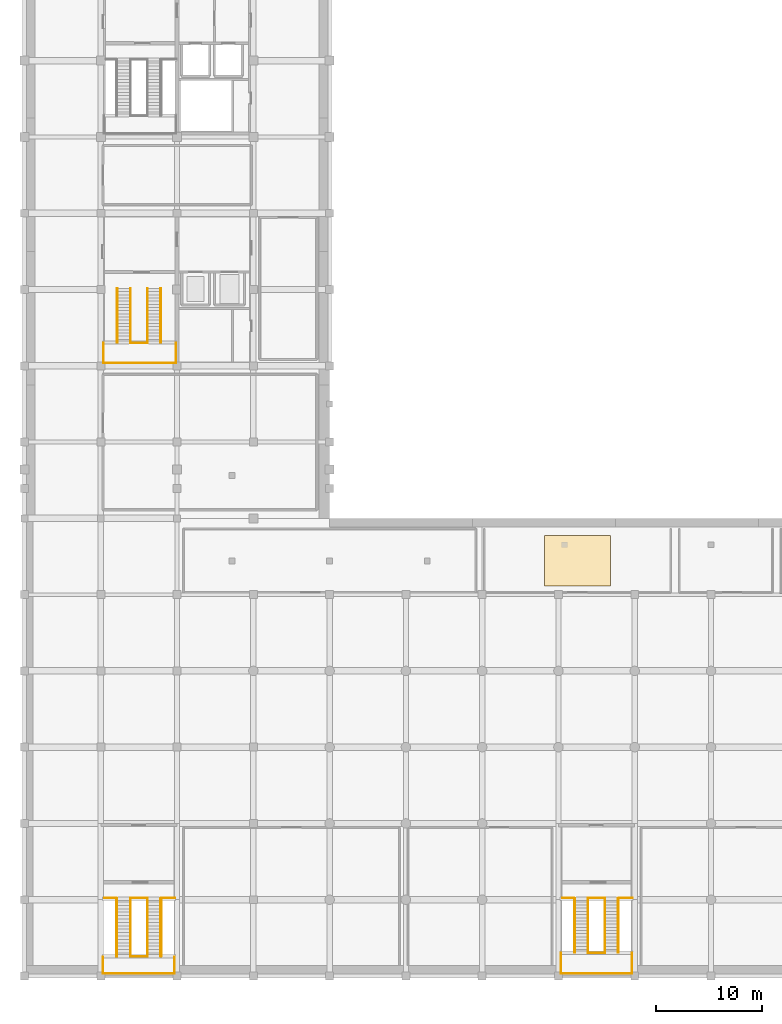
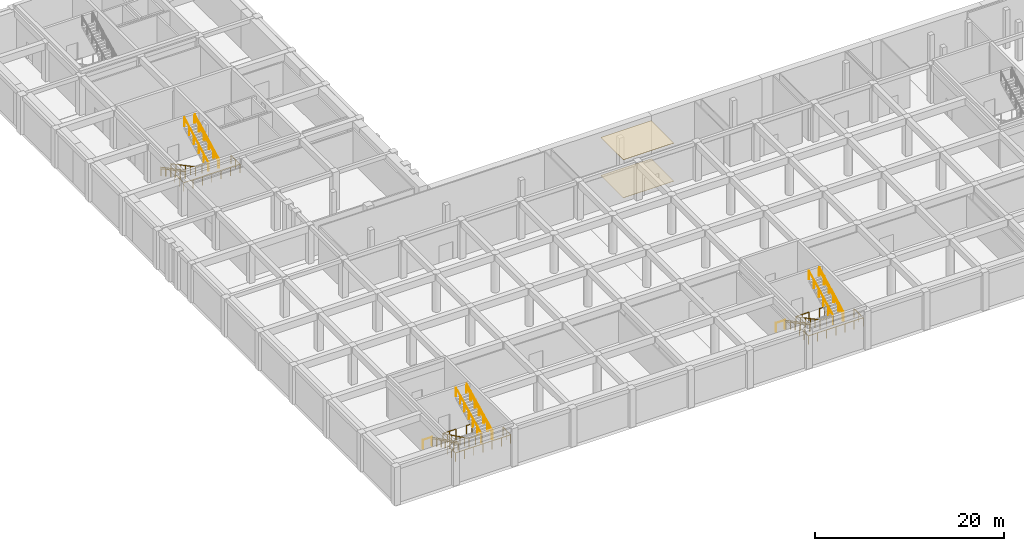
# One storey, part 11 of 15: 30 railings, 2 coverings.
"""IFC4 building model written with IfcOpenShell, lengths in metres."""

from ifc_helpers import new_model, si_unit, direction, frame, origin, origin_2d, place, context, subcontext, project, spatial, rectangle, circle, extrude, material, layer, layer_set, type_object, element, save


model = new_model("IFC4")

# Units and contexts
model_context = context("Model", 3, precision=1e-05, world=origin(), true_north=direction((0.0, 1.0)))
body_context = subcontext(model_context, "Body", "Model", "MODEL_VIEW")
ifc_project = project(units=[si_unit("LENGTHUNIT", "METRE"), si_unit("AREAUNIT", "SQUARE_METRE"), si_unit("VOLUMEUNIT", "CUBIC_METRE"), si_unit("PLANEANGLEUNIT", "RADIAN"), si_unit("MASSUNIT", "GRAM", prefix="KILO")], contexts=[model_context])

# Site, building, storey
site_placement = place(None, origin())
site = spatial("IfcSite", under=ifc_project, at=site_placement, CompositionType="ELEMENT")
building_placement = place(site_placement, origin())
building = spatial("IfcBuilding", under=site, at=building_placement, Name="Leyfeld Transit Interchange", CompositionType="ELEMENT")
storey_placement = place(building_placement, frame((0.0, 0.0, -5.39990234375)))
storey = spatial("IfcBuildingStorey", under=building, at=storey_placement, Name="B01", CompositionType="ELEMENT", Elevation=-5.39990234375)

# Coverings
ifc_material_1 = material(Name="Austrian larch acoustic slat ceiling", Category="wood")
ifc_layer_1 = layer(ifc_material_1, 0.0400390625, Name="Austrian larch acoustic slat ceiling")
ifc_layer_set_1 = layer_set([ifc_layer_1], Name="Austrian larch acoustic slat ceiling")
covering_type_1 = type_object("IfcCoveringType", Name="COV-CLG-LRC", PredefinedType="CEILING", material=ifc_layer_set_1)
covering_1_placement = place(storey_placement, frame((52.199951171875, 53.60009765625, 4.914794921875), z_axis=(0.0, 0.0, 1.0), x_axis=(1.0, 0.0, 0.0)))
element("IfcCovering", 1, at=covering_1_placement, inside=storey, type_object=covering_type_1, Name="Acoustic Slat Ceiling Transit Police & Security Post", PredefinedType="CEILING", context=body_context, shape_type="SweptSolid", body=[
    extrude(rectangle(XDim=6.199951171875, YDim=4.800048828125, at=origin_2d()), origin(), (0.0, 0.0, 1.0), 0.0400390625),
])
ifc_material_2 = material(Name="Polished Danube terrazzo flooring", Category="stone")
ifc_layer_2 = layer(ifc_material_2, 0.030029296875, Name="Polished Danube terrazzo flooring")
ifc_layer_set_2 = layer_set([ifc_layer_2], Name="Polished Danube terrazzo flooring")
covering_type_2 = type_object("IfcCoveringType", Name="COV-FLR-TRZ", PredefinedType="FLOORING", material=ifc_layer_set_2)
covering_2_placement = place(storey_placement, frame((52.199951171875, 53.60009765625, 0.0), z_axis=(0.0, 0.0, 1.0), x_axis=(1.0, 0.0, 0.0)))
element("IfcCovering", 2, at=covering_2_placement, inside=storey, type_object=covering_type_2, Name="Terrazzo Flooring Transit Police & Security Post", PredefinedType="FLOORING", context=body_context, shape_type="SweptSolid", body=[
    extrude(rectangle(XDim=6.199951171875, YDim=4.800048828125, at=origin_2d()), origin(), (0.0, 0.0, 1.0), 0.030029296875),
])

# Railings
ifc_material_3 = material(Name="Stainless steel EN 1.4404", Category="steel")
railing_type_1 = type_object("IfcRailingType", Name="RL-STR-GRD-1100", PredefinedType="GUARDRAIL", material=ifc_material_3)
railing_1_placement = place(storey_placement, frame((9.985107421875, 74.159912109375, 2.699951171875)))
element("IfcRailing", 3, at=railing_1_placement, inside=storey, type_object=railing_type_1, Name="Stair ST-03 B01 Half-Landing Inner Guard", PredefinedType="GUARDRAIL", context=body_context, shape_type="SweptSolid", body=[
    extrude(circle(Radius=0.02392578125, at=origin_2d()), frame((0.0, 0.0, 1.09619140625), z_axis=(1.0, 0.0, 0.0), x_axis=(0.0, 1.0, 0.0)), (0.0, 0.0, 1.0), 1.6298828125),
    extrude(circle(Radius=0.02099609375, at=origin_2d()), origin(), (0.0, 0.0, 1.0), 1.072021484375),
    extrude(circle(Radius=0.02099609375, at=origin_2d()), frame((0.81494140625, 0.0, 0.0)), (0.0, 0.0, 1.0), 1.072021484375),
    extrude(circle(Radius=0.02099609375, at=origin_2d()), frame((1.6298828125, 0.0, 0.0)), (0.0, 0.0, 1.0), 1.072021484375),
])
railing_2_placement = place(storey_placement, frame((7.455078125, 74.159912109375, 2.699951171875)))
element("IfcRailing", 4, at=railing_2_placement, inside=storey, type_object=railing_type_1, Name="Stair ST-03 B01 Half-Landing Perimeter Guard", PredefinedType="GUARDRAIL", context=body_context, shape_type="SweptSolid", body=[
    extrude(circle(Radius=0.02392578125, at=origin_2d()), frame((0.0, 0.0, 1.09619140625), z_axis=(0.0, -1.0, 0.0), x_axis=(1.0, 0.0, 0.0)), (0.0, 0.0, 1.0), 1.905029296875),
    extrude(circle(Radius=0.02392578125, at=origin_2d()), frame((0.0, -1.905029296875, 1.09619140625), z_axis=(1.0, 0.0, 0.0), x_axis=(0.0, 1.0, 0.0)), (0.0, 0.0, 1.0), 6.864990234375),
    extrude(circle(Radius=0.02392578125, at=origin_2d()), frame((6.864990234375, -1.905029296875, 1.09619140625), z_axis=(0.0, 1.0, 0.0), x_axis=(-1.0, 0.0, 0.0)), (0.0, 0.0, 1.0), 1.905029296875),
    extrude(circle(Radius=0.02099609375, at=origin_2d()), origin(), (0.0, 0.0, 1.0), 1.072021484375),
    extrude(circle(Radius=0.02099609375, at=origin_2d()), frame((0.0, -0.95263671875, 0.0)), (0.0, 0.0, 1.0), 1.072021484375),
    extrude(circle(Radius=0.02099609375, at=origin_2d()), frame((0.0, -1.905029296875, 0.0)), (0.0, 0.0, 1.0), 1.072021484375),
    extrude(circle(Radius=0.02099609375, at=origin_2d()), frame((1.14404296875, -1.905029296875, 0.0)), (0.0, 0.0, 1.0), 1.072021484375),
    extrude(circle(Radius=0.02099609375, at=origin_2d()), frame((2.288330078125, -1.905029296875, 0.0)), (0.0, 0.0, 1.0), 1.072021484375),
    extrude(circle(Radius=0.02099609375, at=origin_2d()), frame((3.4326171875, -1.905029296875, 0.0)), (0.0, 0.0, 1.0), 1.072021484375),
    extrude(circle(Radius=0.02099609375, at=origin_2d()), frame((4.57666015625, -1.905029296875, 0.0)), (0.0, 0.0, 1.0), 1.072021484375),
    extrude(circle(Radius=0.02099609375, at=origin_2d()), frame((5.720703125, -1.905029296875, 0.0)), (0.0, 0.0, 1.0), 1.072021484375),
    extrude(circle(Radius=0.02099609375, at=origin_2d()), frame((6.864990234375, -1.905029296875, 0.0)), (0.0, 0.0, 1.0), 1.072021484375),
    extrude(circle(Radius=0.02099609375, at=origin_2d()), frame((6.864990234375, -0.95263671875, 0.0)), (0.0, 0.0, 1.0), 1.072021484375),
    extrude(circle(Radius=0.02099609375, at=origin_2d()), frame((6.864990234375, 0.0, 0.0)), (0.0, 0.0, 1.0), 1.072021484375),
])
for number, where, name in (
    (5, (9.985107421875, 79.300048828125, 0.0), "Stair ST-03 B01 F1 Inner Guard"),
    (6, (8.715087890625, 79.300048828125, 0.0), "Stair ST-03 B01 F1 Outer Guard"),
):
    element("IfcRailing", number, at=place(storey_placement, frame(where)), inside=storey, type_object=railing_type_1, Name=name, PredefinedType="GUARDRAIL", context=body_context, shape_type="SweptSolid", body=[
        extrude(circle(Radius=0.02392578125, at=origin_2d()), frame((0.0, 0.0, 1.09619140625), z_axis=(0.0, -0.883795119882, 0.467874113489), x_axis=(1.0, 0.0, 0.0)), (0.0, 0.0, 1.0), 5.770751953125),
        extrude(circle(Radius=0.02099609375, at=origin_2d()), origin(), (0.0, 0.0, 1.0), 1.072021484375),
        extrude(circle(Radius=0.02099609375, at=origin_2d()), frame((0.0, -1.02001953125, 0.5400390625)), (0.0, 0.0, 1.0), 1.072021484375),
        extrude(circle(Radius=0.02099609375, at=origin_2d()), frame((0.0, -2.0400390625, 1.080078125)), (0.0, 0.0, 1.0), 1.072021484375),
        extrude(circle(Radius=0.02099609375, at=origin_2d()), frame((0.0, -3.06005859375, 1.619873046875)), (0.0, 0.0, 1.0), 1.072021484375),
        extrude(circle(Radius=0.02099609375, at=origin_2d()), frame((0.0, -4.080078125, 2.159912109375)), (0.0, 0.0, 1.0), 1.072021484375),
        extrude(circle(Radius=0.02099609375, at=origin_2d()), frame((0.0, -5.10009765625, 2.699951171875)), (0.0, 0.0, 1.0), 1.072021484375),
    ])
for number, where, name in (
    (7, (11.614990234375, 74.199951171875, 2.699951171875), "Stair ST-03 B01 F2 Inner Guard"),
    (8, (12.885009765625, 74.199951171875, 2.699951171875), "Stair ST-03 B01 F2 Outer Guard"),
):
    element("IfcRailing", number, at=place(storey_placement, frame(where)), inside=storey, type_object=railing_type_1, Name=name, PredefinedType="GUARDRAIL", context=body_context, shape_type="SweptSolid", body=[
        extrude(circle(Radius=0.02392578125, at=origin_2d()), frame((0.0, 0.0, 1.09619140625), z_axis=(0.0, 0.883795119882, 0.467874113489), x_axis=(-1.0, 0.0, 0.0)), (0.0, 0.0, 1.0), 5.770751953125),
        extrude(circle(Radius=0.02099609375, at=origin_2d()), origin(), (0.0, 0.0, 1.0), 1.072021484375),
        extrude(circle(Radius=0.02099609375, at=origin_2d()), frame((0.0, 1.02001953125, 0.5400390625)), (0.0, 0.0, 1.0), 1.072021484375),
        extrude(circle(Radius=0.02099609375, at=origin_2d()), frame((0.0, 2.0400390625, 1.080078125)), (0.0, 0.0, 1.0), 1.072021484375),
        extrude(circle(Radius=0.02099609375, at=origin_2d()), frame((0.0, 3.06005859375, 1.619873046875)), (0.0, 0.0, 1.0), 1.072021484375),
        extrude(circle(Radius=0.02099609375, at=origin_2d()), frame((0.0, 4.080078125, 2.159912109375)), (0.0, 0.0, 1.0), 1.072021484375),
        extrude(circle(Radius=0.02099609375, at=origin_2d()), frame((0.0, 5.10009765625, 2.699951171875)), (0.0, 0.0, 1.0), 1.072021484375),
    ])
railing_3_placement = place(storey_placement, frame((7.56005859375, 21.75, 0.0)))
element("IfcRailing", 9, at=railing_3_placement, inside=storey, type_object=railing_type_1, Name="Stair ST-06 Landing Guard FLW B01", PredefinedType="GUARDRAIL", context=body_context, shape_type="SweptSolid", body=[
    extrude(circle(Radius=0.02392578125, at=origin_2d()), frame((0.0, 0.0, 1.09619140625), z_axis=(1.0, 0.0, 0.0), x_axis=(0.0, 1.0, 0.0)), (0.0, 0.0, 1.0), 1.139892578125),
    extrude(circle(Radius=0.02099609375, at=origin_2d()), origin(), (0.0, 0.0, 1.0), 1.072021484375),
    extrude(circle(Radius=0.02099609375, at=origin_2d()), frame((1.139892578125, 0.0, 0.0)), (0.0, 0.0, 1.0), 1.072021484375),
])
railing_4_placement = place(storey_placement, frame((10.0, 21.75, 0.0)))
element("IfcRailing", 10, at=railing_4_placement, inside=storey, type_object=railing_type_1, Name="Stair ST-06 Landing Guard EYE B01", PredefinedType="GUARDRAIL", context=body_context, shape_type="SweptSolid", body=[
    extrude(circle(Radius=0.02392578125, at=origin_2d()), frame((0.0, 0.0, 1.09619140625), z_axis=(1.0, 0.0, 0.0), x_axis=(0.0, 1.0, 0.0)), (0.0, 0.0, 1.0), 1.60009765625),
    extrude(circle(Radius=0.02099609375, at=origin_2d()), origin(), (0.0, 0.0, 1.0), 1.072021484375),
    extrude(circle(Radius=0.02099609375, at=origin_2d()), frame((0.800048828125, 0.0, 0.0)), (0.0, 0.0, 1.0), 1.072021484375),
    extrude(circle(Radius=0.02099609375, at=origin_2d()), frame((1.60009765625, 0.0, 0.0)), (0.0, 0.0, 1.0), 1.072021484375),
])
railing_5_placement = place(storey_placement, frame((12.89990234375, 21.75, 0.0)))
element("IfcRailing", 11, at=railing_5_placement, inside=storey, type_object=railing_type_1, Name="Stair ST-06 Landing Guard FLE B01", PredefinedType="GUARDRAIL", context=body_context, shape_type="SweptSolid", body=[
    extrude(circle(Radius=0.02392578125, at=origin_2d()), frame((0.0, 0.0, 1.09619140625), z_axis=(1.0, 0.0, 0.0), x_axis=(0.0, 1.0, 0.0)), (0.0, 0.0, 1.0), 1.31005859375),
    extrude(circle(Radius=0.02099609375, at=origin_2d()), origin(), (0.0, 0.0, 1.0), 1.072021484375),
    extrude(circle(Radius=0.02099609375, at=origin_2d()), frame((0.655029296875, 0.0, 0.0)), (0.0, 0.0, 1.0), 1.072021484375),
    extrude(circle(Radius=0.02099609375, at=origin_2d()), frame((1.31005859375, 0.0, 0.0)), (0.0, 0.0, 1.0), 1.072021484375),
])
railing_6_placement = place(storey_placement, frame((10.010009765625, 16.219970703125, 2.699951171875)))
element("IfcRailing", 12, at=railing_6_placement, inside=storey, type_object=railing_type_1, Name="Stair ST-06 B01 Half-Landing Inner Guard", PredefinedType="GUARDRAIL", context=body_context, shape_type="SweptSolid", body=[
    extrude(circle(Radius=0.02392578125, at=origin_2d()), frame((0.0, 0.0, 1.09619140625), z_axis=(1.0, 0.0, 0.0), x_axis=(0.0, 1.0, 0.0)), (0.0, 0.0, 1.0), 1.580078125),
    extrude(circle(Radius=0.02099609375, at=origin_2d()), origin(), (0.0, 0.0, 1.0), 1.072021484375),
    extrude(circle(Radius=0.02099609375, at=origin_2d()), frame((0.7900390625, 0.0, 0.0)), (0.0, 0.0, 1.0), 1.072021484375),
    extrude(circle(Radius=0.02099609375, at=origin_2d()), frame((1.580078125, 0.0, 0.0)), (0.0, 0.0, 1.0), 1.072021484375),
])
railing_7_placement = place(storey_placement, frame((7.419921875, 16.219970703125, 2.699951171875)))
element("IfcRailing", 13, at=railing_7_placement, inside=storey, type_object=railing_type_1, Name="Stair ST-06 B01 Half-Landing Perimeter Guard", PredefinedType="GUARDRAIL", context=body_context, shape_type="SweptSolid", body=[
    extrude(circle(Radius=0.02392578125, at=origin_2d()), frame((0.0, 0.0, 1.09619140625), z_axis=(0.0, -1.0, 0.0), x_axis=(1.0, 0.0, 0.0)), (0.0, 0.0, 1.0), 1.599853515625),
    extrude(circle(Radius=0.02392578125, at=origin_2d()), frame((0.0, -1.599853515625, 1.09619140625), z_axis=(1.0, 0.0, 0.0), x_axis=(0.0, 1.0, 0.0)), (0.0, 0.0, 1.0), 6.760009765625),
    extrude(circle(Radius=0.02392578125, at=origin_2d()), frame((6.760009765625, -1.599853515625, 1.09619140625), z_axis=(0.0, 1.0, 0.0), x_axis=(-1.0, 0.0, 0.0)), (0.0, 0.0, 1.0), 1.599853515625),
    extrude(circle(Radius=0.02099609375, at=origin_2d()), origin(), (0.0, 0.0, 1.0), 1.072021484375),
    extrude(circle(Radius=0.02099609375, at=origin_2d()), frame((0.0, -0.7998046875, 0.0)), (0.0, 0.0, 1.0), 1.072021484375),
    extrude(circle(Radius=0.02099609375, at=origin_2d()), frame((0.0, -1.599853515625, 0.0)), (0.0, 0.0, 1.0), 1.072021484375),
    extrude(circle(Radius=0.02099609375, at=origin_2d()), frame((1.126708984375, -1.599853515625, 0.0)), (0.0, 0.0, 1.0), 1.072021484375),
    extrude(circle(Radius=0.02099609375, at=origin_2d()), frame((2.25341796875, -1.599853515625, 0.0)), (0.0, 0.0, 1.0), 1.072021484375),
    extrude(circle(Radius=0.02099609375, at=origin_2d()), frame((3.3798828125, -1.599853515625, 0.0)), (0.0, 0.0, 1.0), 1.072021484375),
    extrude(circle(Radius=0.02099609375, at=origin_2d()), frame((4.506591796875, -1.599853515625, 0.0)), (0.0, 0.0, 1.0), 1.072021484375),
    extrude(circle(Radius=0.02099609375, at=origin_2d()), frame((5.63330078125, -1.599853515625, 0.0)), (0.0, 0.0, 1.0), 1.072021484375),
    extrude(circle(Radius=0.02099609375, at=origin_2d()), frame((6.760009765625, -1.599853515625, 0.0)), (0.0, 0.0, 1.0), 1.072021484375),
    extrude(circle(Radius=0.02099609375, at=origin_2d()), frame((6.760009765625, -0.7998046875, 0.0)), (0.0, 0.0, 1.0), 1.072021484375),
    extrude(circle(Radius=0.02099609375, at=origin_2d()), frame((6.760009765625, 0.0, 0.0)), (0.0, 0.0, 1.0), 1.072021484375),
])
for number, where, name in (
    (14, (10.010009765625, 21.699951171875, 0.0), "Stair ST-06 B01 F1 Inner Guard"),
    (15, (8.68994140625, 21.699951171875, 0.0), "Stair ST-06 B01 F1 Outer Guard"),
):
    element("IfcRailing", number, at=place(storey_placement, frame(where)), inside=storey, type_object=railing_type_1, Name=name, PredefinedType="GUARDRAIL", context=body_context, shape_type="SweptSolid", body=[
        extrude(circle(Radius=0.02392578125, at=origin_2d()), frame((0.0, 0.0, 1.09619140625), z_axis=(0.0, -0.895741871369, 0.444574515549), x_axis=(1.0, 0.0, 0.0)), (0.0, 0.0, 1.0), 6.072998046875),
        extrude(circle(Radius=0.02099609375, at=origin_2d()), origin(), (0.0, 0.0, 1.0), 1.072021484375),
        extrude(circle(Radius=0.02099609375, at=origin_2d()), frame((0.0, -0.90673828125, 0.449951171875)), (0.0, 0.0, 1.0), 1.072021484375),
        extrude(circle(Radius=0.02099609375, at=origin_2d()), frame((0.0, -1.813232421875, 0.89990234375)), (0.0, 0.0, 1.0), 1.072021484375),
        extrude(circle(Radius=0.02099609375, at=origin_2d()), frame((0.0, -2.719970703125, 1.35009765625)), (0.0, 0.0, 1.0), 1.072021484375),
        extrude(circle(Radius=0.02099609375, at=origin_2d()), frame((0.0, -3.626708984375, 1.800048828125)), (0.0, 0.0, 1.0), 1.072021484375),
        extrude(circle(Radius=0.02099609375, at=origin_2d()), frame((0.0, -4.533203125, 2.25)), (0.0, 0.0, 1.0), 1.072021484375),
        extrude(circle(Radius=0.02099609375, at=origin_2d()), frame((0.0, -5.43994140625, 2.699951171875)), (0.0, 0.0, 1.0), 1.072021484375),
    ])
for number, where, name in (
    (16, (11.590087890625, 16.260009765625, 2.699951171875), "Stair ST-06 B01 F2 Inner Guard"),
    (17, (12.909912109375, 16.260009765625, 2.699951171875), "Stair ST-06 B01 F2 Outer Guard"),
):
    element("IfcRailing", number, at=place(storey_placement, frame(where)), inside=storey, type_object=railing_type_1, Name=name, PredefinedType="GUARDRAIL", context=body_context, shape_type="SweptSolid", body=[
        extrude(circle(Radius=0.02392578125, at=origin_2d()), frame((0.0, 0.0, 1.09619140625), z_axis=(0.0, 0.895741871369, 0.444574515549), x_axis=(-1.0, 0.0, 0.0)), (0.0, 0.0, 1.0), 6.072998046875),
        extrude(circle(Radius=0.02099609375, at=origin_2d()), origin(), (0.0, 0.0, 1.0), 1.072021484375),
        extrude(circle(Radius=0.02099609375, at=origin_2d()), frame((0.0, 0.90673828125, 0.449951171875)), (0.0, 0.0, 1.0), 1.072021484375),
        extrude(circle(Radius=0.02099609375, at=origin_2d()), frame((0.0, 1.813232421875, 0.89990234375)), (0.0, 0.0, 1.0), 1.072021484375),
        extrude(circle(Radius=0.02099609375, at=origin_2d()), frame((0.0, 2.719970703125, 1.35009765625)), (0.0, 0.0, 1.0), 1.072021484375),
        extrude(circle(Radius=0.02099609375, at=origin_2d()), frame((0.0, 3.626708984375, 1.800048828125)), (0.0, 0.0, 1.0), 1.072021484375),
        extrude(circle(Radius=0.02099609375, at=origin_2d()), frame((0.0, 4.533203125, 2.25)), (0.0, 0.0, 1.0), 1.072021484375),
        extrude(circle(Radius=0.02099609375, at=origin_2d()), frame((0.0, 5.43994140625, 2.699951171875)), (0.0, 0.0, 1.0), 1.072021484375),
    ])
railing_8_placement = place(storey_placement, frame((50.760009765625, 21.75, 0.0)))
element("IfcRailing", 18, at=railing_8_placement, inside=storey, type_object=railing_type_1, Name="Stair ST-08 Landing Guard FLW B01", PredefinedType="GUARDRAIL", context=body_context, shape_type="SweptSolid", body=[
    extrude(circle(Radius=0.02392578125, at=origin_2d()), frame((0.0, 0.0, 1.09619140625), z_axis=(1.0, 0.0, 0.0), x_axis=(0.0, 1.0, 0.0)), (0.0, 0.0, 1.0), 1.139892578125),
    extrude(circle(Radius=0.02099609375, at=origin_2d()), origin(), (0.0, 0.0, 1.0), 1.072021484375),
    extrude(circle(Radius=0.02099609375, at=origin_2d()), frame((1.139892578125, 0.0, 0.0)), (0.0, 0.0, 1.0), 1.072021484375),
])
railing_9_placement = place(storey_placement, frame((53.199951171875, 21.75, 0.0)))
element("IfcRailing", 19, at=railing_9_placement, inside=storey, type_object=railing_type_1, Name="Stair ST-08 Landing Guard EYE B01", PredefinedType="GUARDRAIL", context=body_context, shape_type="SweptSolid", body=[
    extrude(circle(Radius=0.02392578125, at=origin_2d()), frame((0.0, 0.0, 1.09619140625), z_axis=(1.0, 0.0, 0.0), x_axis=(0.0, 1.0, 0.0)), (0.0, 0.0, 1.0), 1.60009765625),
    extrude(circle(Radius=0.02099609375, at=origin_2d()), origin(), (0.0, 0.0, 1.0), 1.072021484375),
    extrude(circle(Radius=0.02099609375, at=origin_2d()), frame((0.800048828125, 0.0, 0.0)), (0.0, 0.0, 1.0), 1.072021484375),
    extrude(circle(Radius=0.02099609375, at=origin_2d()), frame((1.60009765625, 0.0, 0.0)), (0.0, 0.0, 1.0), 1.072021484375),
])
railing_10_placement = place(storey_placement, frame((56.10009765625, 21.75, 0.0)))
element("IfcRailing", 20, at=railing_10_placement, inside=storey, type_object=railing_type_1, Name="Stair ST-08 Landing Guard FLE B01", PredefinedType="GUARDRAIL", context=body_context, shape_type="SweptSolid", body=[
    extrude(circle(Radius=0.02392578125, at=origin_2d()), frame((0.0, 0.0, 1.09619140625), z_axis=(1.0, 0.0, 0.0), x_axis=(0.0, 1.0, 0.0)), (0.0, 0.0, 1.0), 1.284912109375),
    extrude(circle(Radius=0.02099609375, at=origin_2d()), origin(), (0.0, 0.0, 1.0), 1.072021484375),
    extrude(circle(Radius=0.02099609375, at=origin_2d()), frame((0.642578125, 0.0, 0.0)), (0.0, 0.0, 1.0), 1.072021484375),
    extrude(circle(Radius=0.02099609375, at=origin_2d()), frame((1.284912109375, 0.0, 0.0)), (0.0, 0.0, 1.0), 1.072021484375),
])
railing_11_placement = place(storey_placement, frame((53.18505859375, 16.56005859375, 2.699951171875)))
element("IfcRailing", 21, at=railing_11_placement, inside=storey, type_object=railing_type_1, Name="Stair ST-08 B01 Half-Landing Inner Guard", PredefinedType="GUARDRAIL", context=body_context, shape_type="SweptSolid", body=[
    extrude(circle(Radius=0.02392578125, at=origin_2d()), frame((0.0, 0.0, 1.09619140625), z_axis=(1.0, 0.0, 0.0), x_axis=(0.0, 1.0, 0.0)), (0.0, 0.0, 1.0), 1.6298828125),
    extrude(circle(Radius=0.02099609375, at=origin_2d()), origin(), (0.0, 0.0, 1.0), 1.072021484375),
    extrude(circle(Radius=0.02099609375, at=origin_2d()), frame((0.81494140625, 0.0, 0.0)), (0.0, 0.0, 1.0), 1.072021484375),
    extrude(circle(Radius=0.02099609375, at=origin_2d()), frame((1.6298828125, 0.0, 0.0)), (0.0, 0.0, 1.0), 1.072021484375),
])
railing_12_placement = place(storey_placement, frame((50.64501953125, 16.56005859375, 2.699951171875)))
element("IfcRailing", 22, at=railing_12_placement, inside=storey, type_object=railing_type_1, Name="Stair ST-08 B01 Half-Landing Perimeter Guard", PredefinedType="GUARDRAIL", context=body_context, shape_type="SweptSolid", body=[
    extrude(circle(Radius=0.02392578125, at=origin_2d()), frame((0.0, 0.0, 1.09619140625), z_axis=(0.0, -1.0, 0.0), x_axis=(1.0, 0.0, 0.0)), (0.0, 0.0, 1.0), 1.9150390625),
    extrude(circle(Radius=0.02392578125, at=origin_2d()), frame((0.0, -1.9150390625, 1.09619140625), z_axis=(1.0, 0.0, 0.0), x_axis=(0.0, 1.0, 0.0)), (0.0, 0.0, 1.0), 6.7099609375),
    extrude(circle(Radius=0.02392578125, at=origin_2d()), frame((6.7099609375, -1.9150390625, 1.09619140625), z_axis=(0.0, 1.0, 0.0), x_axis=(-1.0, 0.0, 0.0)), (0.0, 0.0, 1.0), 1.9150390625),
    extrude(circle(Radius=0.02099609375, at=origin_2d()), origin(), (0.0, 0.0, 1.0), 1.072021484375),
    extrude(circle(Radius=0.02099609375, at=origin_2d()), frame((0.0, -0.95751953125, 0.0)), (0.0, 0.0, 1.0), 1.072021484375),
    extrude(circle(Radius=0.02099609375, at=origin_2d()), frame((0.0, -1.9150390625, 0.0)), (0.0, 0.0, 1.0), 1.072021484375),
    extrude(circle(Radius=0.02099609375, at=origin_2d()), frame((1.118408203125, -1.9150390625, 0.0)), (0.0, 0.0, 1.0), 1.072021484375),
    extrude(circle(Radius=0.02099609375, at=origin_2d()), frame((2.236572265625, -1.9150390625, 0.0)), (0.0, 0.0, 1.0), 1.072021484375),
    extrude(circle(Radius=0.02099609375, at=origin_2d()), frame((3.35498046875, -1.9150390625, 0.0)), (0.0, 0.0, 1.0), 1.072021484375),
    extrude(circle(Radius=0.02099609375, at=origin_2d()), frame((4.473388671875, -1.9150390625, 0.0)), (0.0, 0.0, 1.0), 1.072021484375),
    extrude(circle(Radius=0.02099609375, at=origin_2d()), frame((5.591552734375, -1.9150390625, 0.0)), (0.0, 0.0, 1.0), 1.072021484375),
    extrude(circle(Radius=0.02099609375, at=origin_2d()), frame((6.7099609375, -1.9150390625, 0.0)), (0.0, 0.0, 1.0), 1.072021484375),
    extrude(circle(Radius=0.02099609375, at=origin_2d()), frame((6.7099609375, -0.95751953125, 0.0)), (0.0, 0.0, 1.0), 1.072021484375),
    extrude(circle(Radius=0.02099609375, at=origin_2d()), frame((6.7099609375, 0.0, 0.0)), (0.0, 0.0, 1.0), 1.072021484375),
])
for number, where, name in (
    (23, (53.18505859375, 21.699951171875, 0.0), "Stair ST-08 B01 F1 Inner Guard"),
    (24, (51.9150390625, 21.699951171875, 0.0), "Stair ST-08 B01 F1 Outer Guard"),
):
    element("IfcRailing", number, at=place(storey_placement, frame(where)), inside=storey, type_object=railing_type_1, Name=name, PredefinedType="GUARDRAIL", context=body_context, shape_type="SweptSolid", body=[
        extrude(circle(Radius=0.02392578125, at=origin_2d()), frame((0.0, 0.0, 1.09619140625), z_axis=(0.0, -0.883785858079, 0.467891608238), x_axis=(1.0, 0.0, 0.0)), (0.0, 0.0, 1.0), 5.7705078125),
        extrude(circle(Radius=0.02099609375, at=origin_2d()), origin(), (0.0, 0.0, 1.0), 1.072021484375),
        extrude(circle(Radius=0.02099609375, at=origin_2d()), frame((0.0, -1.02001953125, 0.5400390625)), (0.0, 0.0, 1.0), 1.072021484375),
        extrude(circle(Radius=0.02099609375, at=origin_2d()), frame((0.0, -2.0400390625, 1.080078125)), (0.0, 0.0, 1.0), 1.072021484375),
        extrude(circle(Radius=0.02099609375, at=origin_2d()), frame((0.0, -3.059814453125, 1.619873046875)), (0.0, 0.0, 1.0), 1.072021484375),
        extrude(circle(Radius=0.02099609375, at=origin_2d()), frame((0.0, -4.079833984375, 2.159912109375)), (0.0, 0.0, 1.0), 1.072021484375),
        extrude(circle(Radius=0.02099609375, at=origin_2d()), frame((0.0, -5.099853515625, 2.699951171875)), (0.0, 0.0, 1.0), 1.072021484375),
    ])
for number, where, name in (
    (25, (54.81494140625, 16.60009765625, 2.699951171875), "Stair ST-08 B01 F2 Inner Guard"),
    (26, (56.0849609375, 16.60009765625, 2.699951171875), "Stair ST-08 B01 F2 Outer Guard"),
):
    element("IfcRailing", number, at=place(storey_placement, frame(where)), inside=storey, type_object=railing_type_1, Name=name, PredefinedType="GUARDRAIL", context=body_context, shape_type="SweptSolid", body=[
        extrude(circle(Radius=0.02392578125, at=origin_2d()), frame((0.0, 0.0, 1.09619140625), z_axis=(0.0, 0.883785858079, 0.467891608238), x_axis=(-1.0, 0.0, 0.0)), (0.0, 0.0, 1.0), 5.7705078125),
        extrude(circle(Radius=0.02099609375, at=origin_2d()), origin(), (0.0, 0.0, 1.0), 1.072021484375),
        extrude(circle(Radius=0.02099609375, at=origin_2d()), frame((0.0, 1.02001953125, 0.5400390625)), (0.0, 0.0, 1.0), 1.072021484375),
        extrude(circle(Radius=0.02099609375, at=origin_2d()), frame((0.0, 2.0400390625, 1.080078125)), (0.0, 0.0, 1.0), 1.072021484375),
        extrude(circle(Radius=0.02099609375, at=origin_2d()), frame((0.0, 3.059814453125, 1.619873046875)), (0.0, 0.0, 1.0), 1.072021484375),
        extrude(circle(Radius=0.02099609375, at=origin_2d()), frame((0.0, 4.079833984375, 2.159912109375)), (0.0, 0.0, 1.0), 1.072021484375),
        extrude(circle(Radius=0.02099609375, at=origin_2d()), frame((0.0, 5.099853515625, 2.699951171875)), (0.0, 0.0, 1.0), 1.072021484375),
    ])
railing_type_2 = type_object("IfcRailingType", Name="RL-STR-HND-900", PredefinedType="HANDRAIL", material=ifc_material_3)
railing_13_placement = place(storey_placement, frame((8.77490234375, 79.300048828125, 0.0)))
element("IfcRailing", 27, at=railing_13_placement, inside=storey, type_object=railing_type_2, Name="Stair ST-03 B01 F1 Handrail", PredefinedType="HANDRAIL", context=body_context, shape_type="SweptSolid", body=[
    extrude(circle(Radius=0.02392578125, at=origin_2d()), frame((0.0, 0.0, 0.8759765625), z_axis=(0.0, -0.883795119882, 0.467874113489), x_axis=(1.0, 0.0, 0.0)), (0.0, 0.0, 1.0), 5.770751953125),
    extrude(circle(Radius=0.02099609375, at=origin_2d()), origin(), (0.0, 0.0, 1.0), 0.851806640625),
    extrude(circle(Radius=0.02099609375, at=origin_2d()), frame((0.0, -1.02001953125, 0.5400390625)), (0.0, 0.0, 1.0), 0.851806640625),
    extrude(circle(Radius=0.02099609375, at=origin_2d()), frame((0.0, -2.0400390625, 1.080078125)), (0.0, 0.0, 1.0), 0.851806640625),
    extrude(circle(Radius=0.02099609375, at=origin_2d()), frame((0.0, -3.06005859375, 1.619873046875)), (0.0, 0.0, 1.0), 0.851806640625),
    extrude(circle(Radius=0.02099609375, at=origin_2d()), frame((0.0, -4.080078125, 2.159912109375)), (0.0, 0.0, 1.0), 0.851806640625),
    extrude(circle(Radius=0.02099609375, at=origin_2d()), frame((0.0, -5.10009765625, 2.699951171875)), (0.0, 0.0, 1.0), 0.851806640625),
])
railing_14_placement = place(storey_placement, frame((12.824951171875, 74.199951171875, 2.699951171875)))
element("IfcRailing", 28, at=railing_14_placement, inside=storey, type_object=railing_type_2, Name="Stair ST-03 B01 F2 Handrail", PredefinedType="HANDRAIL", context=body_context, shape_type="SweptSolid", body=[
    extrude(circle(Radius=0.02392578125, at=origin_2d()), frame((0.0, 0.0, 0.8759765625), z_axis=(0.0, 0.883795119882, 0.467874113489), x_axis=(-1.0, 0.0, 0.0)), (0.0, 0.0, 1.0), 5.770751953125),
    extrude(circle(Radius=0.02099609375, at=origin_2d()), origin(), (0.0, 0.0, 1.0), 0.851806640625),
    extrude(circle(Radius=0.02099609375, at=origin_2d()), frame((0.0, 1.02001953125, 0.5400390625)), (0.0, 0.0, 1.0), 0.851806640625),
    extrude(circle(Radius=0.02099609375, at=origin_2d()), frame((0.0, 2.0400390625, 1.080078125)), (0.0, 0.0, 1.0), 0.851806640625),
    extrude(circle(Radius=0.02099609375, at=origin_2d()), frame((0.0, 3.06005859375, 1.619873046875)), (0.0, 0.0, 1.0), 0.851806640625),
    extrude(circle(Radius=0.02099609375, at=origin_2d()), frame((0.0, 4.080078125, 2.159912109375)), (0.0, 0.0, 1.0), 0.851806640625),
    extrude(circle(Radius=0.02099609375, at=origin_2d()), frame((0.0, 5.10009765625, 2.699951171875)), (0.0, 0.0, 1.0), 0.851806640625),
])
railing_15_placement = place(storey_placement, frame((8.75, 21.699951171875, 0.0)))
element("IfcRailing", 29, at=railing_15_placement, inside=storey, type_object=railing_type_2, Name="Stair ST-06 B01 F1 Handrail", PredefinedType="HANDRAIL", context=body_context, shape_type="SweptSolid", body=[
    extrude(circle(Radius=0.02392578125, at=origin_2d()), frame((0.0, 0.0, 0.8759765625), z_axis=(0.0, -0.895741871369, 0.444574515549), x_axis=(1.0, 0.0, 0.0)), (0.0, 0.0, 1.0), 6.072998046875),
    extrude(circle(Radius=0.02099609375, at=origin_2d()), origin(), (0.0, 0.0, 1.0), 0.851806640625),
    extrude(circle(Radius=0.02099609375, at=origin_2d()), frame((0.0, -0.90673828125, 0.449951171875)), (0.0, 0.0, 1.0), 0.851806640625),
    extrude(circle(Radius=0.02099609375, at=origin_2d()), frame((0.0, -1.813232421875, 0.89990234375)), (0.0, 0.0, 1.0), 0.851806640625),
    extrude(circle(Radius=0.02099609375, at=origin_2d()), frame((0.0, -2.719970703125, 1.35009765625)), (0.0, 0.0, 1.0), 0.851806640625),
    extrude(circle(Radius=0.02099609375, at=origin_2d()), frame((0.0, -3.626708984375, 1.800048828125)), (0.0, 0.0, 1.0), 0.851806640625),
    extrude(circle(Radius=0.02099609375, at=origin_2d()), frame((0.0, -4.533203125, 2.25)), (0.0, 0.0, 1.0), 0.851806640625),
    extrude(circle(Radius=0.02099609375, at=origin_2d()), frame((0.0, -5.43994140625, 2.699951171875)), (0.0, 0.0, 1.0), 0.851806640625),
])
railing_16_placement = place(storey_placement, frame((12.85009765625, 16.260009765625, 2.699951171875)))
element("IfcRailing", 30, at=railing_16_placement, inside=storey, type_object=railing_type_2, Name="Stair ST-06 B01 F2 Handrail", PredefinedType="HANDRAIL", context=body_context, shape_type="SweptSolid", body=[
    extrude(circle(Radius=0.02392578125, at=origin_2d()), frame((0.0, 0.0, 0.8759765625), z_axis=(0.0, 0.895741871369, 0.444574515549), x_axis=(-1.0, 0.0, 0.0)), (0.0, 0.0, 1.0), 6.072998046875),
    extrude(circle(Radius=0.02099609375, at=origin_2d()), origin(), (0.0, 0.0, 1.0), 0.851806640625),
    extrude(circle(Radius=0.02099609375, at=origin_2d()), frame((0.0, 0.90673828125, 0.449951171875)), (0.0, 0.0, 1.0), 0.851806640625),
    extrude(circle(Radius=0.02099609375, at=origin_2d()), frame((0.0, 1.813232421875, 0.89990234375)), (0.0, 0.0, 1.0), 0.851806640625),
    extrude(circle(Radius=0.02099609375, at=origin_2d()), frame((0.0, 2.719970703125, 1.35009765625)), (0.0, 0.0, 1.0), 0.851806640625),
    extrude(circle(Radius=0.02099609375, at=origin_2d()), frame((0.0, 3.626708984375, 1.800048828125)), (0.0, 0.0, 1.0), 0.851806640625),
    extrude(circle(Radius=0.02099609375, at=origin_2d()), frame((0.0, 4.533203125, 2.25)), (0.0, 0.0, 1.0), 0.851806640625),
    extrude(circle(Radius=0.02099609375, at=origin_2d()), frame((0.0, 5.43994140625, 2.699951171875)), (0.0, 0.0, 1.0), 0.851806640625),
])
railing_17_placement = place(storey_placement, frame((51.97509765625, 21.699951171875, 0.0)))
element("IfcRailing", 31, at=railing_17_placement, inside=storey, type_object=railing_type_2, Name="Stair ST-08 B01 F1 Handrail", PredefinedType="HANDRAIL", context=body_context, shape_type="SweptSolid", body=[
    extrude(circle(Radius=0.02392578125, at=origin_2d()), frame((0.0, 0.0, 0.8759765625), z_axis=(0.0, -0.883785858079, 0.467891608238), x_axis=(1.0, 0.0, 0.0)), (0.0, 0.0, 1.0), 5.7705078125),
    extrude(circle(Radius=0.02099609375, at=origin_2d()), origin(), (0.0, 0.0, 1.0), 0.851806640625),
    extrude(circle(Radius=0.02099609375, at=origin_2d()), frame((0.0, -1.02001953125, 0.5400390625)), (0.0, 0.0, 1.0), 0.851806640625),
    extrude(circle(Radius=0.02099609375, at=origin_2d()), frame((0.0, -2.0400390625, 1.080078125)), (0.0, 0.0, 1.0), 0.851806640625),
    extrude(circle(Radius=0.02099609375, at=origin_2d()), frame((0.0, -3.059814453125, 1.619873046875)), (0.0, 0.0, 1.0), 0.851806640625),
    extrude(circle(Radius=0.02099609375, at=origin_2d()), frame((0.0, -4.079833984375, 2.159912109375)), (0.0, 0.0, 1.0), 0.851806640625),
    extrude(circle(Radius=0.02099609375, at=origin_2d()), frame((0.0, -5.099853515625, 2.699951171875)), (0.0, 0.0, 1.0), 0.851806640625),
])
railing_18_placement = place(storey_placement, frame((56.02490234375, 16.60009765625, 2.699951171875)))
element("IfcRailing", 32, at=railing_18_placement, inside=storey, type_object=railing_type_2, Name="Stair ST-08 B01 F2 Handrail", PredefinedType="HANDRAIL", context=body_context, shape_type="SweptSolid", body=[
    extrude(circle(Radius=0.02392578125, at=origin_2d()), frame((0.0, 0.0, 0.8759765625), z_axis=(0.0, 0.883785858079, 0.467891608238), x_axis=(-1.0, 0.0, 0.0)), (0.0, 0.0, 1.0), 5.7705078125),
    extrude(circle(Radius=0.02099609375, at=origin_2d()), origin(), (0.0, 0.0, 1.0), 0.851806640625),
    extrude(circle(Radius=0.02099609375, at=origin_2d()), frame((0.0, 1.02001953125, 0.5400390625)), (0.0, 0.0, 1.0), 0.851806640625),
    extrude(circle(Radius=0.02099609375, at=origin_2d()), frame((0.0, 2.0400390625, 1.080078125)), (0.0, 0.0, 1.0), 0.851806640625),
    extrude(circle(Radius=0.02099609375, at=origin_2d()), frame((0.0, 3.059814453125, 1.619873046875)), (0.0, 0.0, 1.0), 0.851806640625),
    extrude(circle(Radius=0.02099609375, at=origin_2d()), frame((0.0, 4.079833984375, 2.159912109375)), (0.0, 0.0, 1.0), 0.851806640625),
    extrude(circle(Radius=0.02099609375, at=origin_2d()), frame((0.0, 5.099853515625, 2.699951171875)), (0.0, 0.0, 1.0), 0.851806640625),
])

save(model, "model.ifc")
